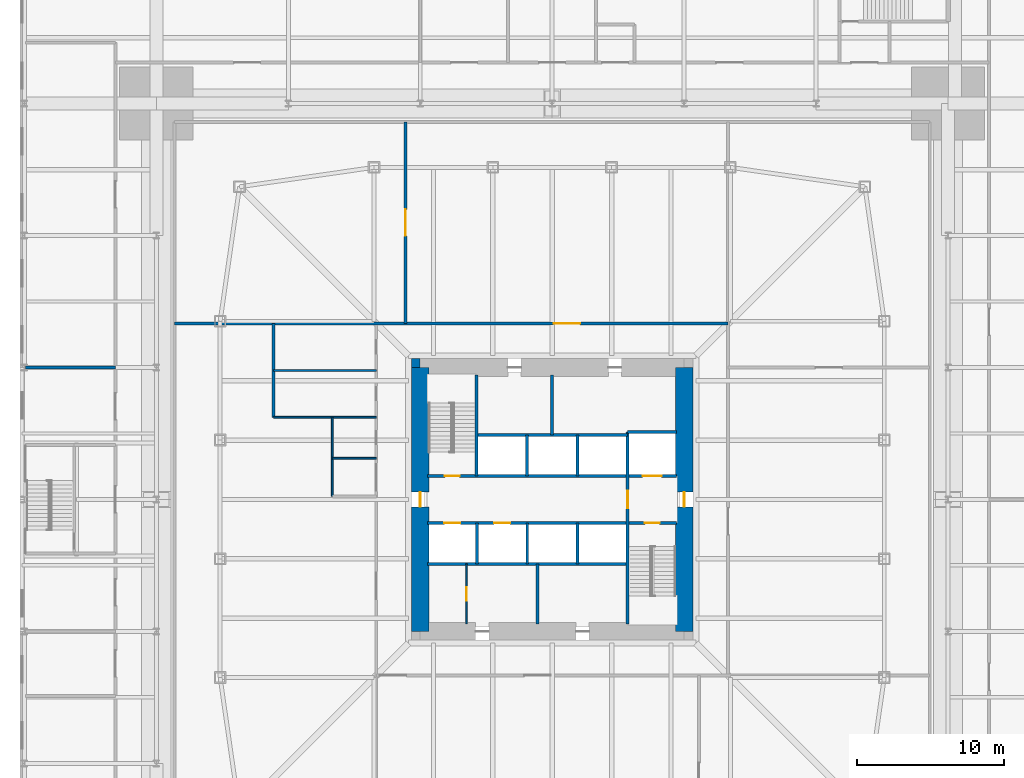
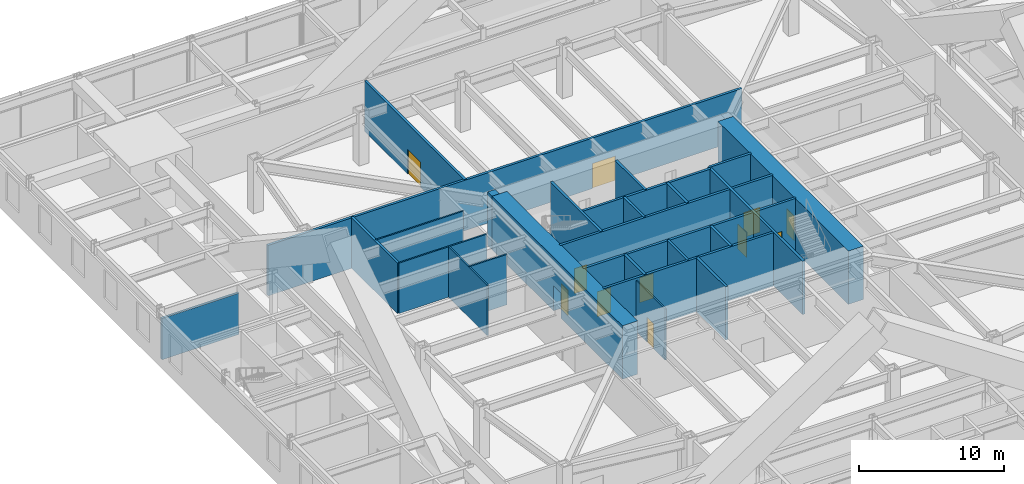
# One storey, part 22 of 32: 26 walls, 11 doors, 11 openings.
"""IFC4 building model written with IfcOpenShell, lengths in metres."""

from ifc_helpers import new_model, si_unit, direction, frame, frame_2d, origin, place, context, subcontext, project, spatial, rectangle, extrude, material, layer, layer_set, type_object, element, fill, save


model = new_model("IFC4")

# Units and contexts
model_context = context("Model", 3, precision=1e-05, world=origin(), true_north=direction((0.0, 1.0)))
body_context = subcontext(model_context, "Body", "Model", "MODEL_VIEW")
ifc_project = project(units=[si_unit("LENGTHUNIT", "METRE"), si_unit("AREAUNIT", "SQUARE_METRE"), si_unit("VOLUMEUNIT", "CUBIC_METRE"), si_unit("PLANEANGLEUNIT", "RADIAN"), si_unit("MASSUNIT", "GRAM", prefix="KILO")], contexts=[model_context])

# Site, building, storey
site_placement = place(None, origin())
site = spatial("IfcSite", under=ifc_project, at=site_placement, CompositionType="ELEMENT")
building_placement = place(site_placement, origin())
building = spatial("IfcBuilding", under=site, at=building_placement, Name="Iwan Alto Co-Living Towers", CompositionType="ELEMENT")
storey_placement = place(building_placement, frame((0.0, 0.0, 6.0)))
storey = spatial("IfcBuildingStorey", under=building, at=storey_placement, Name="L01", CompositionType="ELEMENT", Elevation=6.0)

# Wall, opening, door
ifc_material_1 = material(Name="Gypsum board")
ifc_layer_1 = layer(ifc_material_1, 0.012451171875, Name="Board", Category="Finish")
ifc_material_2 = material(Name="Steel ASTM A1003 ST33H cold-formed studs", Category="steel")
ifc_layer_2 = layer(ifc_material_2, 0.074951171875, Name="Studs", Category="Framing")
ifc_layer_3 = layer(ifc_material_1, 0.012451171875, Name="Board", Category="Finish")
ifc_layer_set_1 = layer_set([ifc_layer_1, ifc_layer_2, ifc_layer_3], Name="PARTITION 100")
wall_type_1 = type_object("IfcWallType", Name="PARTITION 100", PredefinedType="PARTITIONING", material=ifc_layer_set_1)
wall_1_placement = place(storey_placement, frame((-5.85009765625, -8.489990234375, 0.0), z_axis=(0.0, 0.0, 1.0), x_axis=(0.0, 1.0, 0.0)))
wall_1 = element("IfcWall", 1, at=wall_1_placement, inside=storey, type_object=wall_type_1, Name="Partition L01", PredefinedType="PARTITIONING", context=body_context, shape_type="SweptSolid", body=[
    extrude(rectangle(XDim=4.090087890625, YDim=0.10009765625, at=frame_2d((2.044921875, 0.0))), origin(), (0.0, 0.0, 1.0), 4.300048828125),
])
opening_1_placement = place(wall_1_placement, frame((1.594970703125, 0.0, 0.0)))
opening_1 = element("IfcOpeningElement", 2, at=opening_1_placement, cuts=wall_1, Name="Opening D16", PredefinedType="OPENING", context=body_context, shape_type="SweptSolid", body=[
    extrude(rectangle(XDim=0.89990234375, YDim=2.10009765625, at=frame_2d((0.449951171875, 1.050048828125))), frame((0.0, 0.06005859375, 0.0), z_axis=(0.0, -1.0, 0.0), x_axis=(1.0, 0.0, 0.0)), (0.0, 0.0, 1.0), 0.1201171875),
])
ifc_material_3 = material(Name="Timber leaf in steel frame", Category="steel")
door_type_1 = type_object("IfcDoorType", Name="CUPBOARD SLIDING DOOR 900X2100", OperationType="SLIDING_TO_LEFT", PredefinedType="DOOR", material=ifc_material_3)
door_1_placement = place(opening_1_placement, origin())
door_1 = element("IfcDoor", 3, at=door_1_placement, inside=storey, type_object=door_type_1, Name="Bin store door L01", OperationType="SLIDING_TO_LEFT", OverallHeight=2.10009765625, OverallWidth=0.89990234375, PredefinedType="DOOR", context=body_context, shape_type="SweptSolid", body=[
    extrude(rectangle(XDim=0.89990234375, YDim=2.10009765625, at=frame_2d((0.449951171875, 1.050048828125))), frame((0.0, 0.02490234375, 0.0), z_axis=(0.0, -1.0, 0.0), x_axis=(1.0, 0.0, 0.0)), (0.0, 0.0, 1.0), 0.050048828125),
])
fill(opening_1, door_1)

# Wall
ifc_material_4 = material(Name="Concrete block masonry f*p 10 MPa", Category="masonry")
ifc_layer_4 = layer(ifc_material_4, 0.199951171875)
ifc_layer_set_2 = layer_set([ifc_layer_4], Name="PODIUM INTERNAL WALL 200")
wall_type_2 = type_object("IfcWallType", Name="PODIUM INTERNAL WALL 200", PredefinedType="SOLIDWALL", material=ifc_layer_set_2)
wall_2_placement = place(storey_placement, frame((-35.93994140625, 9.0, 0.0), z_axis=(0.0, 0.0, 1.0), x_axis=(1.0, 0.0, 0.0)))
element("IfcWall", 4, at=wall_2_placement, inside=storey, type_object=wall_type_2, Name="Partition L01", PredefinedType="SOLIDWALL", context=body_context, shape_type="SweptSolid", body=[
    extrude(rectangle(XDim=6.139892578125, YDim=0.199951171875, at=frame_2d((3.06982421875, 0.0))), origin(), (0.0, 0.0, 1.0), 3.48046875),
])

# Wall, opening, door
wall_3_placement = place(storey_placement, frame((-25.75, 12.0, 0.0), z_axis=(0.0, 0.0, 1.0), x_axis=(1.0, 0.0, 0.0)))
wall_3 = element("IfcWall", 5, at=wall_3_placement, inside=storey, type_object=wall_type_2, Name="Partition L01", PredefinedType="SOLIDWALL", context=body_context, shape_type="SweptSolid", body=[
    extrude(rectangle(XDim=37.75, YDim=0.199951171875, at=frame_2d((18.875, 0.0))), origin(), (0.0, 0.0, 1.0), 4.25),
])
opening_2_placement = place(wall_3_placement, frame((25.85009765625, 0.0, 0.0)))
opening_2 = element("IfcOpeningElement", 6, at=opening_2_placement, cuts=wall_3, Name="Opening D9", PredefinedType="OPENING", context=body_context, shape_type="SweptSolid", body=[
    extrude(rectangle(XDim=1.800048828125, YDim=2.10009765625, at=frame_2d((0.89990234375, 1.050048828125))), frame((0.0, 0.10986328125, 0.0), z_axis=(0.0, -1.0, 0.0), x_axis=(1.0, 0.0, 0.0)), (0.0, 0.0, 1.0), 0.219970703125),
])
ifc_material_5 = material(Name="Steel frame with timber leaf", Category="steel")
door_type_2 = type_object("IfcDoorType", Name="LOUNGE DOOR FD30S 1800X2100", OperationType="DOUBLE_DOOR_SINGLE_SWING", PredefinedType="DOOR", material=ifc_material_5)
door_2_placement = place(opening_2_placement, origin())
door_2 = element("IfcDoor", 7, at=door_2_placement, inside=storey, type_object=door_type_2, Name="Co-working studio door L01", OperationType="DOUBLE_DOOR_SINGLE_SWING", OverallHeight=2.10009765625, OverallWidth=1.800048828125, PredefinedType="DOOR", context=body_context, shape_type="SweptSolid", body=[
    extrude(rectangle(XDim=1.800048828125, YDim=2.10009765625, at=frame_2d((0.89990234375, 1.050048828125))), frame((0.0, 0.02490234375, 0.0), z_axis=(0.0, -1.0, 0.0), x_axis=(1.0, 0.0, 0.0)), (0.0, 0.0, 1.0), 0.050048828125),
])
fill(opening_2, door_2)

wall_4_placement = place(storey_placement, frame((-10.0, 12.0, 0.0), z_axis=(0.0, 0.0, 1.0), x_axis=(0.0, 1.0, 0.0)))
wall_4 = element("IfcWall", 8, at=wall_4_placement, inside=storey, type_object=wall_type_2, Name="Partition L01", PredefinedType="SOLIDWALL", context=body_context, shape_type="SweptSolid", body=[
    extrude(rectangle(XDim=13.75, YDim=0.199951171875, at=frame_2d((6.875, 0.0))), origin(), (0.0, 0.0, 1.0), 4.25),
])
opening_3_placement = place(wall_4_placement, frame((5.97509765625, 0.0, 0.0)))
opening_3 = element("IfcOpeningElement", 9, at=opening_3_placement, cuts=wall_4, Name="Opening D9", PredefinedType="OPENING", context=body_context, shape_type="SweptSolid", body=[
    extrude(rectangle(XDim=1.800048828125, YDim=2.10009765625, at=frame_2d((0.89990234375, 1.050048828125))), frame((0.0, 0.10986328125, 0.0), z_axis=(0.0, -1.0, 0.0), x_axis=(1.0, 0.0, 0.0)), (0.0, 0.0, 1.0), 0.219970703125),
])
door_3_placement = place(opening_3_placement, frame((1.800048828125, 0.0, 0.0), z_axis=(0.0, 0.0, 1.0), x_axis=(-1.0, 0.0, 0.0)))
door_3 = element("IfcDoor", 10, at=door_3_placement, inside=storey, type_object=door_type_2, Name="Meeting room door L01", OperationType="DOUBLE_DOOR_SINGLE_SWING", OverallHeight=2.10009765625, OverallWidth=1.800048828125, PredefinedType="DOOR", context=body_context, shape_type="SweptSolid", body=[
    extrude(rectangle(XDim=1.800048828125, YDim=2.10009765625, at=frame_2d((0.89990234375, 1.050048828125))), frame((0.0, 0.02490234375, 0.0), z_axis=(0.0, -1.0, 0.0), x_axis=(1.0, 0.0, 0.0)), (0.0, 0.0, 1.0), 0.050048828125),
])
fill(opening_3, door_3)

# Walls
wall_5_placement = place(storey_placement, frame((-19.0, 5.60009765625, 0.0), z_axis=(0.0, 0.0, 1.0), x_axis=(0.0, 1.0, 0.0)))
element("IfcWall", 11, at=wall_5_placement, inside=storey, type_object=wall_type_2, Name="Partition L01", PredefinedType="SOLIDWALL", context=body_context, shape_type="SweptSolid", body=[
    extrude(rectangle(XDim=6.39990234375, YDim=0.199951171875, at=frame_2d((3.199951171875, 0.0))), origin(), (0.0, 0.0, 1.0), 4.25),
])
ifc_material_6 = material(Name="Concrete f'c 70 MPa", Category="concrete")
ifc_layer_5 = layer(ifc_material_6, 0.199951171875)
ifc_layer_set_3 = layer_set([ifc_layer_5], Name="SHAFT WALL 200")
wall_type_3 = type_object("IfcWallType", Name="SHAFT WALL 200", PredefinedType="SOLIDWALL", material=ifc_layer_set_3)
wall_6_placement = place(storey_placement, frame((-8.489990234375, -4.39990234375, 0.0), z_axis=(0.0, 0.0, 1.0), x_axis=(1.0, 0.0, 0.0)))
element("IfcWall", 12, at=wall_6_placement, inside=storey, type_object=wall_type_3, Name="Shaft wall L01", PredefinedType="SOLIDWALL", context=body_context, shape_type="SweptSolid", body=[
    extrude(rectangle(XDim=13.639892578125, YDim=0.199951171875, at=frame_2d((6.81982421875, 0.0))), origin(), (0.0, 0.0, 1.0), 4.5),
])

# Wall, openings, doors
wall_7_placement = place(storey_placement, frame((-8.489990234375, -1.60009765625, 0.0), z_axis=(0.0, 0.0, 1.0), x_axis=(1.0, 0.0, 0.0)))
wall_7 = element("IfcWall", 13, at=wall_7_placement, inside=storey, type_object=wall_type_3, Name="Shaft wall L01", PredefinedType="SOLIDWALL", context=body_context, shape_type="SweptSolid", body=[
    extrude(rectangle(XDim=16.97998046875, YDim=0.199951171875, at=frame_2d((8.489990234375, 0.0))), origin(), (0.0, 0.0, 1.0), 4.5),
])
opening_4_placement = place(wall_7_placement, frame((14.81005859375, 0.0, 0.0)))
opening_4 = element("IfcOpeningElement", 14, at=opening_4_placement, cuts=wall_7, Name="Opening D5", PredefinedType="OPENING", context=body_context, shape_type="SweptSolid", body=[
    extrude(rectangle(XDim=1.0, YDim=2.10009765625, at=frame_2d((0.5, 1.050048828125))), frame((0.0, 0.10986328125, 0.0), z_axis=(0.0, -1.0, 0.0), x_axis=(1.0, 0.0, 0.0)), (0.0, 0.0, 1.0), 0.219970703125),
])
opening_5_placement = place(wall_7_placement, frame((1.133056640625, 0.0, 0.0)))
opening_5 = element("IfcOpeningElement", 15, at=opening_5_placement, cuts=wall_7, Name="Opening LD", PredefinedType="OPENING", context=body_context, shape_type="SweptSolid", body=[
    extrude(rectangle(XDim=1.10009765625, YDim=2.10009765625, at=frame_2d((0.550048828125, 1.050048828125))), frame((0.0, 0.10986328125, 0.0), z_axis=(0.0, -1.0, 0.0), x_axis=(1.0, 0.0, 0.0)), (0.0, 0.0, 1.0), 0.219970703125),
])
opening_6_placement = place(wall_7_placement, frame((4.528076171875, 0.0, 0.0)))
opening_6 = element("IfcOpeningElement", 16, at=opening_6_placement, cuts=wall_7, Name="Opening LD", PredefinedType="OPENING", context=body_context, shape_type="SweptSolid", body=[
    extrude(rectangle(XDim=1.10009765625, YDim=2.10009765625, at=frame_2d((0.550048828125, 1.050048828125))), frame((0.0, 0.10986328125, 0.0), z_axis=(0.0, -1.0, 0.0), x_axis=(1.0, 0.0, 0.0)), (0.0, 0.0, 1.0), 0.219970703125),
])
ifc_material_7 = material(Name="Steel frame with timber leaf", Category="steel")
door_type_3 = type_object("IfcDoorType", Name="LIFT LANDING DOOR 1100X2100", OperationType="DOUBLE_DOOR_SLIDING", PredefinedType="DOOR", material=ifc_material_7)
door_4_placement = place(opening_5_placement, origin())
door_4 = element("IfcDoor", 17, at=door_4_placement, inside=storey, type_object=door_type_3, Name="Lift P1-1 landing door L01", OperationType="DOUBLE_DOOR_SLIDING", OverallHeight=2.10009765625, OverallWidth=1.10009765625, PredefinedType="DOOR", context=body_context, shape_type="SweptSolid", body=[
    extrude(rectangle(XDim=1.10009765625, YDim=2.10009765625, at=frame_2d((0.550048828125, 1.050048828125))), frame((0.0, 0.02490234375, 0.0), z_axis=(0.0, -1.0, 0.0), x_axis=(1.0, 0.0, 0.0)), (0.0, 0.0, 1.0), 0.050048828125),
])
fill(opening_5, door_4)
door_5_placement = place(opening_6_placement, origin())
door_5 = element("IfcDoor", 18, at=door_5_placement, inside=storey, type_object=door_type_3, Name="Lift P1-2 landing door L01", OperationType="DOUBLE_DOOR_SLIDING", OverallHeight=2.10009765625, OverallWidth=1.10009765625, PredefinedType="DOOR", context=body_context, shape_type="SweptSolid", body=[
    extrude(rectangle(XDim=1.10009765625, YDim=2.10009765625, at=frame_2d((0.550048828125, 1.050048828125))), frame((0.0, 0.02490234375, 0.0), z_axis=(0.0, -1.0, 0.0), x_axis=(1.0, 0.0, 0.0)), (0.0, 0.0, 1.0), 0.050048828125),
])
fill(opening_6, door_5)
ifc_material_8 = material(Name="Steel frame with timber leaf", Category="steel")
door_type_4 = type_object("IfcDoorType", Name="STAIR DOOR FD120S 1000X2100", OperationType="SINGLE_SWING_LEFT", PredefinedType="DOOR", material=ifc_material_8)
door_6_placement = place(opening_4_placement, frame((1.0, 0.0, 0.0), z_axis=(0.0, 0.0, 1.0), x_axis=(-1.0, 0.0, 0.0)))
door_6 = element("IfcDoor", 19, at=door_6_placement, inside=storey, type_object=door_type_4, Name="Stair S2 door L01", OperationType="SINGLE_SWING_RIGHT", OverallHeight=2.10009765625, OverallWidth=1.0, PredefinedType="DOOR", context=body_context, shape_type="SweptSolid", body=[
    extrude(rectangle(XDim=1.0, YDim=2.10009765625, at=frame_2d((0.5, 1.050048828125))), frame((0.0, 0.02490234375, 0.0), z_axis=(0.0, -1.0, 0.0), x_axis=(1.0, 0.0, 0.0)), (0.0, 0.0, 1.0), 0.050048828125),
])
fill(opening_4, door_6)

wall_8_placement = place(storey_placement, frame((-8.489990234375, 1.60009765625, 0.0), z_axis=(0.0, 0.0, 1.0), x_axis=(1.0, 0.0, 0.0)))
wall_8 = element("IfcWall", 20, at=wall_8_placement, inside=storey, type_object=wall_type_3, Name="Shaft wall L01", PredefinedType="SOLIDWALL", context=body_context, shape_type="SweptSolid", body=[
    extrude(rectangle(XDim=16.97998046875, YDim=0.199951171875, at=frame_2d((8.489990234375, 0.0))), origin(), (0.0, 0.0, 1.0), 4.5),
])
opening_7_placement = place(wall_8_placement, frame((1.169921875, 0.0, 0.0)))
opening_7 = element("IfcOpeningElement", 21, at=opening_7_placement, cuts=wall_8, Name="Opening D5", PredefinedType="OPENING", context=body_context, shape_type="SweptSolid", body=[
    extrude(rectangle(XDim=1.0, YDim=2.10009765625, at=frame_2d((0.5, 1.050048828125))), frame((0.0, 0.10986328125, 0.0), z_axis=(0.0, -1.0, 0.0), x_axis=(1.0, 0.0, 0.0)), (0.0, 0.0, 1.0), 0.219970703125),
])
opening_8_placement = place(wall_8_placement, frame((14.659912109375, 0.0, 0.0)))
opening_8 = element("IfcOpeningElement", 22, at=opening_8_placement, cuts=wall_8, Name="Opening LD2", PredefinedType="OPENING", context=body_context, shape_type="SweptSolid", body=[
    extrude(rectangle(XDim=1.300048828125, YDim=2.10009765625, at=frame_2d((0.64990234375, 1.050048828125))), frame((0.0, 0.10986328125, 0.0), z_axis=(0.0, -1.0, 0.0), x_axis=(1.0, 0.0, 0.0)), (0.0, 0.0, 1.0), 0.219970703125),
])
ifc_material_9 = material(Name="Steel frame with timber leaf", Category="steel")
door_type_5 = type_object("IfcDoorType", Name="LIFT LANDING DOOR 1300X2100", OperationType="SLIDING_TO_LEFT", PredefinedType="DOOR", material=ifc_material_9)
door_7_placement = place(opening_8_placement, origin())
door_7 = element("IfcDoor", 23, at=door_7_placement, inside=storey, type_object=door_type_5, Name="Lift FL1 landing door L01", OperationType="SLIDING_TO_LEFT", OverallHeight=2.10009765625, OverallWidth=1.300048828125, PredefinedType="DOOR", context=body_context, shape_type="SweptSolid", body=[
    extrude(rectangle(XDim=1.300048828125, YDim=2.10009765625, at=frame_2d((0.64990234375, 1.050048828125))), frame((0.0, 0.02490234375, 0.0), z_axis=(0.0, -1.0, 0.0), x_axis=(1.0, 0.0, 0.0)), (0.0, 0.0, 1.0), 0.050048828125),
])
fill(opening_8, door_7)
door_8_placement = place(opening_7_placement, origin())
door_8 = element("IfcDoor", 24, at=door_8_placement, inside=storey, type_object=door_type_4, Name="Stair S1 door L01", OperationType="SINGLE_SWING_RIGHT", OverallHeight=2.10009765625, OverallWidth=1.0, PredefinedType="DOOR", context=body_context, shape_type="SweptSolid", body=[
    extrude(rectangle(XDim=1.0, YDim=2.10009765625, at=frame_2d((0.5, 1.050048828125))), frame((0.0, 0.02490234375, 0.0), z_axis=(0.0, -1.0, 0.0), x_axis=(1.0, 0.0, 0.0)), (0.0, 0.0, 1.0), 0.050048828125),
])
fill(opening_7, door_8)

# Walls
wall_9_placement = place(storey_placement, frame((-5.14990234375, 4.39990234375, 0.0), z_axis=(0.0, 0.0, 1.0), x_axis=(1.0, 0.0, 0.0)))
element("IfcWall", 25, at=wall_9_placement, inside=storey, type_object=wall_type_3, Name="Shaft wall L01", PredefinedType="SOLIDWALL", context=body_context, shape_type="SweptSolid", body=[
    extrude(rectangle(XDim=10.2998046875, YDim=0.199951171875, at=frame_2d((5.14990234375, 0.0))), origin(), (0.0, 0.0, 1.0), 4.5),
])
wall_10_placement = place(storey_placement, frame((5.14990234375, 4.60009765625, 0.0), z_axis=(0.0, 0.0, 1.0), x_axis=(1.0, 0.0, 0.0)))
element("IfcWall", 26, at=wall_10_placement, inside=storey, type_object=wall_type_3, Name="Shaft wall L01", PredefinedType="SOLIDWALL", context=body_context, shape_type="SweptSolid", body=[
    extrude(rectangle(XDim=3.340087890625, YDim=0.199951171875, at=frame_2d((1.669921875, 0.0))), origin(), (0.0, 0.0, 1.0), 4.5),
])

# Wall, opening, door
wall_11_placement = place(storey_placement, frame((5.14990234375, -8.489990234375, 0.0), z_axis=(0.0, 0.0, 1.0), x_axis=(0.0, 1.0, 0.0)))
wall_11 = element("IfcWall", 27, at=wall_11_placement, inside=storey, type_object=wall_type_3, Name="Shaft wall L01", PredefinedType="SOLIDWALL", context=body_context, shape_type="SweptSolid", body=[
    extrude(rectangle(XDim=13.090087890625, YDim=0.199951171875, at=frame_2d((6.544921875, 0.0))), origin(), (0.0, 0.0, 1.0), 4.5),
])
opening_9_placement = place(wall_11_placement, frame((7.889892578125, 0.0, 0.0)))
opening_9 = element("IfcOpeningElement", 28, at=opening_9_placement, cuts=wall_11, Name="Opening D6", PredefinedType="OPENING", context=body_context, shape_type="SweptSolid", body=[
    extrude(rectangle(XDim=1.199951171875, YDim=2.10009765625, at=frame_2d((0.60009765625, 1.050048828125))), frame((0.0, 0.10986328125, 0.0), z_axis=(0.0, -1.0, 0.0), x_axis=(1.0, 0.0, 0.0)), (0.0, 0.0, 1.0), 0.219970703125),
])
ifc_material_10 = material(Name="Steel frame with timber leaf", Category="steel")
door_type_6 = type_object("IfcDoorType", Name="LOBBY DOOR FD120S 1200X2100", OperationType="SINGLE_SWING_LEFT", PredefinedType="DOOR", material=ifc_material_10)
door_9_placement = place(opening_9_placement, frame((1.199951171875, 0.0, 0.0), z_axis=(0.0, 0.0, 1.0), x_axis=(-1.0, 0.0, 0.0)))
door_9 = element("IfcDoor", 29, at=door_9_placement, inside=storey, type_object=door_type_6, Name="Firefighting lobby door L01", OperationType="SINGLE_SWING_RIGHT", OverallHeight=2.10009765625, OverallWidth=1.199951171875, PredefinedType="DOOR", context=body_context, shape_type="SweptSolid", body=[
    extrude(rectangle(XDim=1.199951171875, YDim=2.10009765625, at=frame_2d((0.60009765625, 1.050048828125))), frame((0.0, 0.02490234375, 0.0), z_axis=(0.0, -1.0, 0.0), x_axis=(1.0, 0.0, 0.0)), (0.0, 0.0, 1.0), 0.050048828125),
])
fill(opening_9, door_9)

# Walls
for number, where, z_axis, x_axis, name in (
    (30, (1.72509765625, -4.39990234375, 0.0), (0.0, 0.0, 1.0), (0.0, 1.0, 0.0), "Shaft wall L01"),
    (31, (1.717041015625, 1.60009765625, 0.0), (0.0, 0.0, 1.0), (0.0, 1.0, 0.0), "Shaft wall L01"),
):
    element("IfcWall", number, at=place(storey_placement, frame(where, z_axis=z_axis, x_axis=x_axis)), inside=storey, type_object=wall_type_3, Name=name, PredefinedType="SOLIDWALL", context=body_context, shape_type="SweptSolid", body=[
        extrude(rectangle(XDim=2.7998046875, YDim=0.199951171875, at=frame_2d((1.39990234375, 0.0))), origin(), (0.0, 0.0, 1.0), 4.5),
    ])
for number, where, z_axis, x_axis, name in (
    (32, (0.0, 4.39990234375, 0.0), (0.0, 0.0, 1.0), (0.0, 1.0, 0.0), "Shaft wall L01"),
    (33, (-1.0, -8.489990234375, 0.0), (0.0, 0.0, 1.0), (0.0, 1.0, 0.0), "Shaft wall L01"),
):
    element("IfcWall", number, at=place(storey_placement, frame(where, z_axis=z_axis, x_axis=x_axis)), inside=storey, type_object=wall_type_3, Name=name, PredefinedType="SOLIDWALL", context=body_context, shape_type="SweptSolid", body=[
        extrude(rectangle(XDim=4.090087890625, YDim=0.199951171875, at=frame_2d((2.044921875, 0.0))), origin(), (0.0, 0.0, 1.0), 4.5),
    ])
for number, where, z_axis, x_axis, name in (
    (34, (-1.699951171875, -4.39990234375, 0.0), (0.0, 0.0, 1.0), (0.0, 1.0, 0.0), "Shaft wall L01"),
    (35, (-1.717041015625, 1.60009765625, 0.0), (0.0, 0.0, 1.0), (0.0, 1.0, 0.0), "Shaft wall L01"),
    (36, (-5.125, -4.39990234375, 0.0), (0.0, 0.0, 1.0), (0.0, 1.0, 0.0), "Shaft wall L01"),
):
    element("IfcWall", number, at=place(storey_placement, frame(where, z_axis=z_axis, x_axis=x_axis)), inside=storey, type_object=wall_type_3, Name=name, PredefinedType="SOLIDWALL", context=body_context, shape_type="SweptSolid", body=[
        extrude(rectangle(XDim=2.7998046875, YDim=0.199951171875, at=frame_2d((1.39990234375, 0.0))), origin(), (0.0, 0.0, 1.0), 4.5),
    ])
wall_12_placement = place(storey_placement, frame((-5.14990234375, 1.60009765625, 0.0), z_axis=(0.0, 0.0, 1.0), x_axis=(0.0, 1.0, 0.0)))
element("IfcWall", 37, at=wall_12_placement, inside=storey, type_object=wall_type_3, Name="Shaft wall L01", PredefinedType="SOLIDWALL", context=body_context, shape_type="SweptSolid", body=[
    extrude(rectangle(XDim=6.889892578125, YDim=0.199951171875, at=frame_2d((3.44482421875, 0.0))), origin(), (0.0, 0.0, 1.0), 4.5),
])
ifc_material_11 = material(Name="Concrete f'c 70 MPa", Category="concrete")
ifc_layer_6 = layer(ifc_material_11, 0.60009765625)
ifc_layer_set_4 = layer_set([ifc_layer_6], Name="T1 CORE CORNER FILL 600")
wall_type_4 = type_object("IfcWallType", Name="T1 CORE CORNER FILL 600", PredefinedType="SOLIDWALL", material=ifc_layer_set_4)
wall_13_placement = place(storey_placement, frame((-9.60009765625, 9.300048828125, 0.0), z_axis=(0.0, 0.0, 1.0), x_axis=(1.0, 0.0, 0.0)))
element("IfcWall", 38, at=wall_13_placement, inside=storey, type_object=wall_type_4, Name="T1 core corner NW L01", PredefinedType="SOLIDWALL", context=body_context, shape_type="SweptSolid", body=[
    extrude(rectangle(XDim=0.60009765625, YDim=0.60009765625, at=frame_2d((0.300048828125, 0.0))), origin(), (0.0, 0.0, 1.0), 4.5),
])

# Wall, opening, door
ifc_material_12 = material(Name="Concrete f'c 70 MPa", Category="concrete")
ifc_layer_7 = layer(ifc_material_12, 1.199951171875)
ifc_layer_set_5 = layer_set([ifc_layer_7], Name="T1 CORE WALL 1200")
wall_type_5 = type_object("IfcWallType", Name="T1 CORE WALL 1200", PredefinedType="SHEAR", material=ifc_layer_set_5)
wall_14_placement = place(storey_placement, frame((9.0, -9.0, 0.0), z_axis=(0.0, 0.0, 1.0), x_axis=(0.0, 1.0, 0.0)))
wall_14 = element("IfcWall", 39, at=wall_14_placement, inside=storey, type_object=wall_type_5, Name="T1 core wall E L01", PredefinedType="SHEAR", context=body_context, shape_type="SweptSolid", body=[
    extrude(rectangle(XDim=18.0, YDim=1.199951171875, at=frame_2d((9.0, 0.0))), origin(), (0.0, 0.0, 1.0), 4.5),
])
opening_10_placement = place(wall_14_placement, frame((8.5, 0.0, 0.0)))
opening_10 = element("IfcOpeningElement", 40, at=opening_10_placement, cuts=wall_14, Name="Opening D7", PredefinedType="OPENING", context=body_context, shape_type="SweptSolid", body=[
    extrude(rectangle(XDim=1.0, YDim=2.10009765625, at=frame_2d((0.5, 1.050048828125))), frame((0.0, 0.60986328125, 0.0), z_axis=(0.0, -1.0, 0.0), x_axis=(1.0, 0.0, 0.0)), (0.0, 0.0, 1.0), 1.219970703125),
])
ifc_material_13 = material(Name="Steel frame with timber leaf", Category="steel")
door_type_7 = type_object("IfcDoorType", Name="CORE DOOR FD120S 1000X2100", OperationType="SINGLE_SWING_LEFT", PredefinedType="DOOR", material=ifc_material_13)
door_10_placement = place(opening_10_placement, origin())
door_10 = element("IfcDoor", 41, at=door_10_placement, inside=storey, type_object=door_type_7, Name="Firefighting lobby core door L01", OperationType="SINGLE_SWING_LEFT", OverallHeight=2.10009765625, OverallWidth=1.0, PredefinedType="DOOR", context=body_context, shape_type="SweptSolid", body=[
    extrude(rectangle(XDim=1.0, YDim=2.10009765625, at=frame_2d((0.5, 1.050048828125))), frame((0.0, 0.02490234375, 0.0), z_axis=(0.0, -1.0, 0.0), x_axis=(1.0, 0.0, 0.0)), (0.0, 0.0, 1.0), 0.050048828125),
])
fill(opening_10, door_10)

wall_15_placement = place(storey_placement, frame((-9.0, 9.0, 0.0), z_axis=(0.0, 0.0, 1.0), x_axis=(0.0, -1.0, 0.0)))
wall_15 = element("IfcWall", 42, at=wall_15_placement, inside=storey, type_object=wall_type_5, Name="T1 core wall W L01", PredefinedType="SHEAR", context=body_context, shape_type="SweptSolid", body=[
    extrude(rectangle(XDim=18.0, YDim=1.199951171875, at=frame_2d((9.0, 0.0))), origin(), (0.0, 0.0, 1.0), 4.5),
])
opening_11_placement = place(wall_15_placement, frame((8.5, 0.0, 0.0)))
opening_11 = element("IfcOpeningElement", 43, at=opening_11_placement, cuts=wall_15, Name="Opening D7", PredefinedType="OPENING", context=body_context, shape_type="SweptSolid", body=[
    extrude(rectangle(XDim=1.0, YDim=2.10009765625, at=frame_2d((0.5, 1.050048828125))), frame((0.0, 0.60986328125, 0.0), z_axis=(0.0, -1.0, 0.0), x_axis=(1.0, 0.0, 0.0)), (0.0, 0.0, 1.0), 1.219970703125),
])
door_11_placement = place(opening_11_placement, origin())
door_11 = element("IfcDoor", 44, at=door_11_placement, inside=storey, type_object=door_type_7, Name="Lift lobby core door L01", OperationType="SINGLE_SWING_RIGHT", OverallHeight=2.10009765625, OverallWidth=1.0, PredefinedType="DOOR", context=body_context, shape_type="SweptSolid", body=[
    extrude(rectangle(XDim=1.0, YDim=2.10009765625, at=frame_2d((0.5, 1.050048828125))), frame((0.0, 0.02490234375, 0.0), z_axis=(0.0, -1.0, 0.0), x_axis=(1.0, 0.0, 0.0)), (0.0, 0.0, 1.0), 0.050048828125),
])
fill(opening_11, door_11)

# Walls
ifc_material_14 = material(Name="Cement board")
ifc_layer_8 = layer(ifc_material_14, 0.012451171875, Name="Board", Category="Finish")
ifc_layer_9 = layer(ifc_material_2, 0.094970703125, Name="Studs", Category="Framing")
ifc_layer_10 = layer(ifc_material_14, 0.012451171875, Name="Board", Category="Finish")
ifc_layer_set_6 = layer_set([ifc_layer_8, ifc_layer_9, ifc_layer_10], Name="WET AREA PARTITION 120")
wall_type_6 = type_object("IfcWallType", Name="WET AREA PARTITION 120", PredefinedType="PARTITIONING", material=ifc_layer_set_6)
wall_16_placement = place(storey_placement, frame((-15.0, 2.800048828125, 0.0), z_axis=(0.0, 0.0, 1.0), x_axis=(1.0, 0.0, 0.0)))
element("IfcWall", 45, at=wall_16_placement, inside=storey, type_object=wall_type_6, Name="Partition L01", PredefinedType="PARTITIONING", context=body_context, shape_type="SweptSolid", body=[
    extrude(rectangle(XDim=3.0, YDim=0.1201171875, at=frame_2d((1.5, 0.0))), origin(), (0.0, 0.0, 1.0), 4.25),
])
for number, where, z_axis, x_axis, name in (
    (46, (-19.0, 5.60009765625, 0.0), (0.0, 0.0, 1.0), (1.0, 0.0, 0.0), "Partition L01"),
    (47, (-19.0, 8.800048828125, 0.0), (0.0, 0.0, 1.0), (1.0, 0.0, 0.0), "Partition L01"),
):
    element("IfcWall", number, at=place(storey_placement, frame(where, z_axis=z_axis, x_axis=x_axis)), inside=storey, type_object=wall_type_6, Name=name, PredefinedType="PARTITIONING", context=body_context, shape_type="SweptSolid", body=[
        extrude(rectangle(XDim=7.0, YDim=0.1201171875, at=frame_2d((3.5, 0.0))), origin(), (0.0, 0.0, 1.0), 4.25),
    ])
wall_17_placement = place(storey_placement, frame((-15.0, 0.199951171875, 0.0), z_axis=(0.0, 0.0, 1.0), x_axis=(0.0, 1.0, 0.0)))
element("IfcWall", 48, at=wall_17_placement, inside=storey, type_object=wall_type_6, Name="Partition L01", PredefinedType="PARTITIONING", context=body_context, shape_type="SweptSolid", body=[
    extrude(rectangle(XDim=5.400146484375, YDim=0.1201171875, at=frame_2d((2.7001953125, 0.0))), origin(), (0.0, 0.0, 1.0), 4.25),
])

save(model, "model.ifc")
